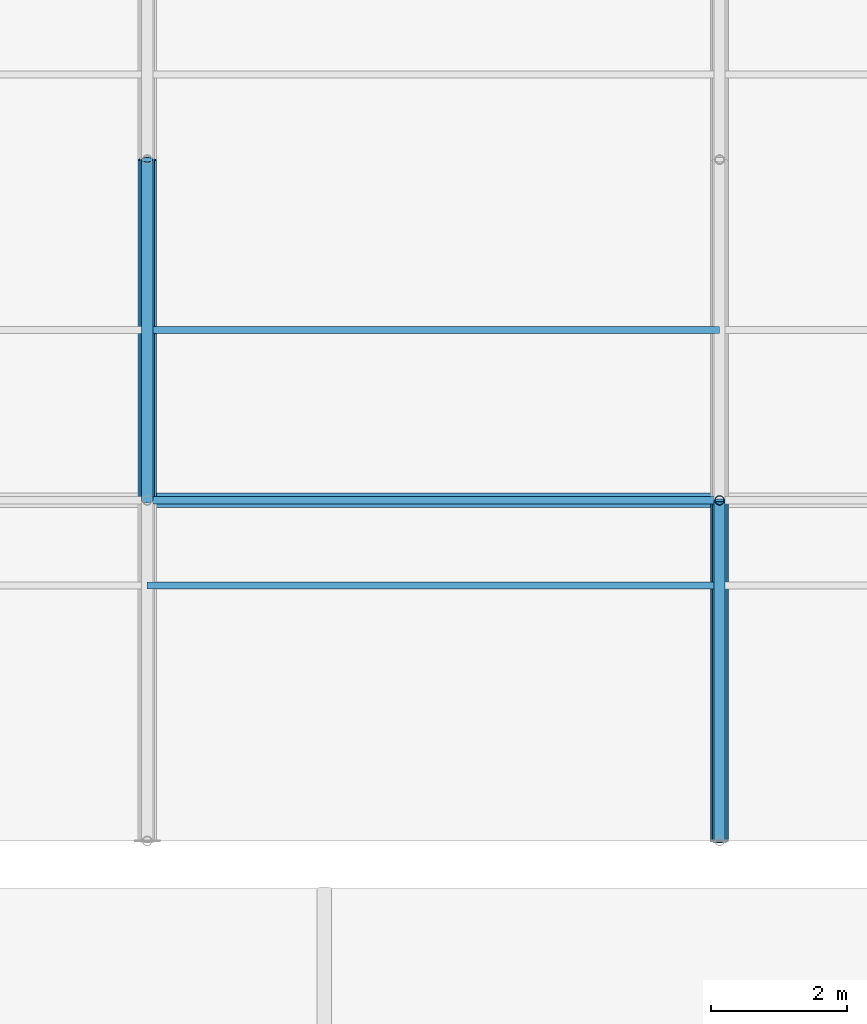
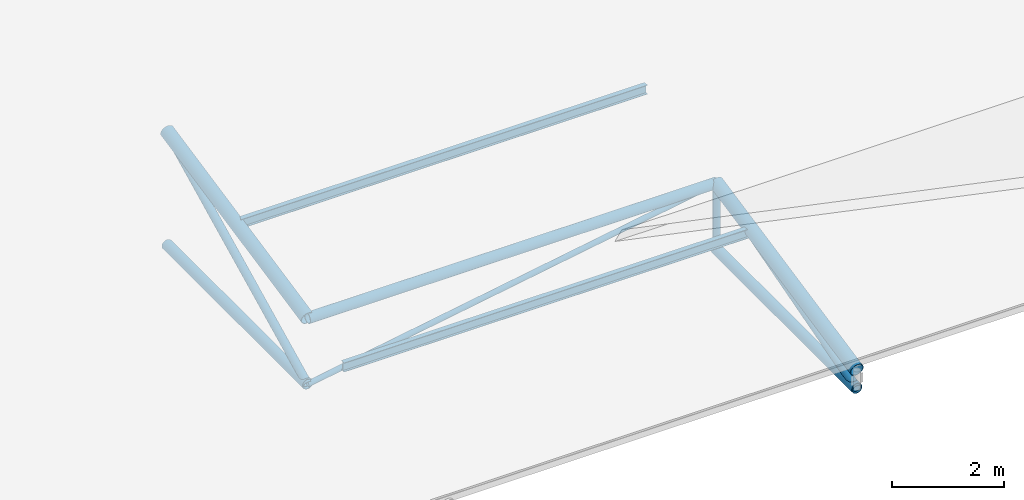
# One storey, part 81 of 194: 9 members, 2 beams.
"""IFC4 building model written with IfcOpenShell, lengths in metres."""

from ifc_helpers import new_model, si_unit, direction, frame, origin, origin_2d, place, context, subcontext, project, spatial, hollow_circle, i_section, extrude, material, material_profile, profile_set, type_object, element, save


model = new_model("IFC4")

# Units and contexts
model_context = context("Model", 3, precision=1e-05, world=origin(), true_north=direction((0.0, 1.0)))
body_context = subcontext(model_context, "Body", "Model", "MODEL_VIEW")
ifc_project = project(units=[si_unit("LENGTHUNIT", "METRE"), si_unit("AREAUNIT", "SQUARE_METRE"), si_unit("VOLUMEUNIT", "CUBIC_METRE"), si_unit("PLANEANGLEUNIT", "RADIAN"), si_unit("MASSUNIT", "GRAM", prefix="KILO")], contexts=[model_context])

# Site, building, storey
site_placement = place(None, origin())
site = spatial("IfcSite", under=ifc_project, at=site_placement, CompositionType="ELEMENT")
building_placement = place(site_placement, origin())
building = spatial("IfcBuilding", under=site, at=building_placement, Name="Kazenagashi Tramway Depot", CompositionType="ELEMENT")
storey_placement = place(building_placement, frame((0.0, 0.0, 23.7)))
storey = spatial("IfcBuildingStorey", under=building, at=storey_placement, Name="ROOF", CompositionType="ELEMENT", Elevation=23.7)

# Beams
ifc_material_1 = material(Name="Steel SN400B", Category="steel")
ifc_material_profile_1 = material_profile(ifc_material_1, i_section(OverallWidth=0.1, OverallDepth=0.2, WebThickness=0.0055, FlangeThickness=0.008, at=origin_2d()), Name="H-200x100x5.5x8")
ifc_profile_set_1 = profile_set([ifc_material_profile_1], Name="Steel SN400B")
beam_type = type_object("IfcBeamType", Name="PR-01", PredefinedType="USERDEFINED", material=ifc_profile_set_1)
for number, where, z_axis, x_axis, name in (
    (1, (179.2, 73.75, -12.955), (1.0, 0.0, 0.0), (0.0, 1.0, 0.0), "Beam PR-01 BM-2034"),
    (2, (179.2, 77.5, -12.13), (1.0, 0.0, 0.0), (0.0, 1.0, 0.0), "Beam PR-01 BM-2052"),
):
    element("IfcBeam", number, at=place(storey_placement, frame(where, z_axis=z_axis, x_axis=x_axis)), inside=storey, type_object=beam_type, Name=name, ObjectType="PURLIN", PredefinedType="USERDEFINED", context=body_context, shape_type="SweptSolid", body=[
        extrude(i_section(OverallWidth=0.1, OverallDepth=0.2, WebThickness=0.0055, FlangeThickness=0.008, at=origin_2d()), origin(), (0.0, 0.0, 1.0), 8.4),
    ])

# Members
ifc_material_2 = material(Name="Steel STK490", Category="steel")
ifc_material_profile_2 = material_profile(ifc_material_2, hollow_circle(Radius=0.1337, WallThickness=0.0093, at=origin_2d()), Name="CHS-267.4x9.3")
ifc_profile_set_2 = profile_set([ifc_material_profile_2], Name="Steel STK490")
member_type_1 = type_object("IfcMemberType", Name="TC-01", PredefinedType="CHORD", material=ifc_profile_set_2)
member_1_placement = place(storey_placement, frame((179.2, 75.0, -12.667), z_axis=(0.0, 0.979279174591, 0.202514933305), x_axis=(-1.0, 0.0, 0.0)))
element("IfcMember", 3, at=member_1_placement, inside=storey, type_object=member_type_1, Name="Tubular Space Frame TC-01 MEM-0980", PredefinedType="CHORD", context=body_context, shape_type="SweptSolid", body=[
    extrude(hollow_circle(Radius=0.1337, WallThickness=0.0093, at=origin_2d()), origin(), (0.0, 0.0, 1.0), 5.105796),
])
member_2_placement = place(storey_placement, frame((187.6, 70.0, -13.7), z_axis=(0.0, 0.979317999984, 0.202327098797), x_axis=(-1.0, 0.0, 0.0)))
element("IfcMember", 4, at=member_2_placement, inside=storey, type_object=member_type_1, Name="Tubular Space Frame TC-01 MEM-1038", PredefinedType="CHORD", context=body_context, shape_type="SweptSolid", body=[
    extrude(hollow_circle(Radius=0.1337, WallThickness=0.0093, at=origin_2d()), origin(), (0.0, 0.0, 1.0), 5.105594),
])
ifc_material_profile_3 = material_profile(ifc_material_2, hollow_circle(Radius=0.10815, WallThickness=0.0082, at=origin_2d()), Name="CHS-216.3x8.2")
ifc_profile_set_3 = profile_set([ifc_material_profile_3], Name="Steel STK490")
member_type_2 = type_object("IfcMemberType", Name="TC-02", PredefinedType="CHORD", material=ifc_profile_set_3)
member_3_placement = place(storey_placement, frame((179.2, 75.0, -14.1), z_axis=(0.0, 1.0, 0.0), x_axis=(-1.0, 0.0, 0.0)))
element("IfcMember", 5, at=member_3_placement, inside=storey, type_object=member_type_2, Name="Tubular Space Frame TC-02 MEM-0981", PredefinedType="CHORD", context=body_context, shape_type="SweptSolid", body=[
    extrude(hollow_circle(Radius=0.10815, WallThickness=0.0082, at=origin_2d()), origin(), (0.0, 0.0, 1.0), 5.0),
])
member_4_placement = place(storey_placement, frame((179.2, 75.0, -12.667), z_axis=(1.0, 0.0, 0.0), x_axis=(0.0, 1.0, 0.0)))
element("IfcMember", 6, at=member_4_placement, inside=storey, type_object=member_type_2, Name="Tubular Space Frame TC-02 MEM-1002", PredefinedType="CHORD", context=body_context, shape_type="SweptSolid", body=[
    extrude(hollow_circle(Radius=0.10815, WallThickness=0.0082, at=origin_2d()), origin(), (0.0, 0.0, 1.0), 8.4),
])
member_5_placement = place(storey_placement, frame((187.6, 70.0, -14.1), z_axis=(0.0, 1.0, 0.0), x_axis=(-1.0, 0.0, 0.0)))
element("IfcMember", 7, at=member_5_placement, inside=storey, type_object=member_type_2, Name="Tubular Space Frame TC-02 MEM-1039", PredefinedType="CHORD", context=body_context, shape_type="SweptSolid", body=[
    extrude(hollow_circle(Radius=0.10815, WallThickness=0.0082, at=origin_2d()), origin(), (0.0, 0.0, 1.0), 5.0),
])
ifc_material_profile_4 = material_profile(ifc_material_2, hollow_circle(Radius=0.0826, WallThickness=0.0071, at=origin_2d()), Name="CHS-165.2x7.1")
ifc_profile_set_4 = profile_set([ifc_material_profile_4], Name="Steel STK490")
member_type_3 = type_object("IfcMemberType", Name="TS-01", PredefinedType="STRUT", material=ifc_profile_set_4)
member_6_placement = place(storey_placement, frame((179.2, 75.0, -14.1), z_axis=(0.0, 0.896782162482, 0.442472318969), x_axis=(-1.0, 0.0, 0.0)))
element("IfcMember", 8, at=member_6_placement, inside=storey, type_object=member_type_3, Name="Tubular Space Frame TS-01 MEM-0982", PredefinedType="STRUT", context=body_context, shape_type="SweptSolid", body=[
    extrude(hollow_circle(Radius=0.0826, WallThickness=0.0071, at=origin_2d()), origin(), (0.0, 0.0, 1.0), 5.57549),
])
member_7_placement = place(storey_placement, frame((187.6, 70.0, -14.1), z_axis=(0.0, 0.961298717795, 0.27550821252), x_axis=(-1.0, 0.0, 0.0)))
element("IfcMember", 9, at=member_7_placement, inside=storey, type_object=member_type_3, Name="Tubular Space Frame TS-01 MEM-1040", PredefinedType="STRUT", context=body_context, shape_type="SweptSolid", body=[
    extrude(hollow_circle(Radius=0.0826, WallThickness=0.0071, at=origin_2d()), origin(), (0.0, 0.0, 1.0), 5.201297),
])
ifc_material_profile_5 = material_profile(ifc_material_2, hollow_circle(Radius=0.0699, WallThickness=0.0066, at=origin_2d()), Name="CHS-139.8x6.6")
ifc_profile_set_5 = profile_set([ifc_material_profile_5], Name="Steel STK490")
member_type_4 = type_object("IfcMemberType", Name="TS-02", PredefinedType="STRUT", material=ifc_profile_set_5)
member_8_placement = place(storey_placement, frame((187.6, 75.0, -14.1), z_axis=(0.0, 0.0, 1.0), x_axis=(1.0, 0.0, 0.0)))
element("IfcMember", 10, at=member_8_placement, inside=storey, type_object=member_type_4, Name="Tubular Space Frame TS-02 MEM-1057", PredefinedType="STRUT", context=body_context, shape_type="SweptSolid", body=[
    extrude(hollow_circle(Radius=0.0699, WallThickness=0.0066, at=origin_2d()), origin(), (0.0, 0.0, 1.0), 1.433),
])
ifc_material_3 = material(Name="Steel STK400", Category="steel")
ifc_material_profile_6 = material_profile(ifc_material_3, hollow_circle(Radius=0.05715, WallThickness=0.0045, at=origin_2d()), Name="CHS-114.3x4.5")
ifc_profile_set_6 = profile_set([ifc_material_profile_6], Name="Steel STK400")
member_type_5 = type_object("IfcMemberType", Name="TS-03", PredefinedType="STRUT", material=ifc_profile_set_6)
member_9_placement = place(storey_placement, frame((179.2, 75.0, -14.1), z_axis=(0.985758734117, 0.0, 0.168165745951), x_axis=(0.0, 1.0, 0.0)))
element("IfcMember", 11, at=member_9_placement, inside=storey, type_object=member_type_5, Name="Tubular Space Frame TS-03 MEM-1003", PredefinedType="STRUT", context=body_context, shape_type="SweptSolid", body=[
    extrude(hollow_circle(Radius=0.05715, WallThickness=0.0045, at=origin_2d()), origin(), (0.0, 0.0, 1.0), 8.521355),
])

save(model, "model.ifc")
